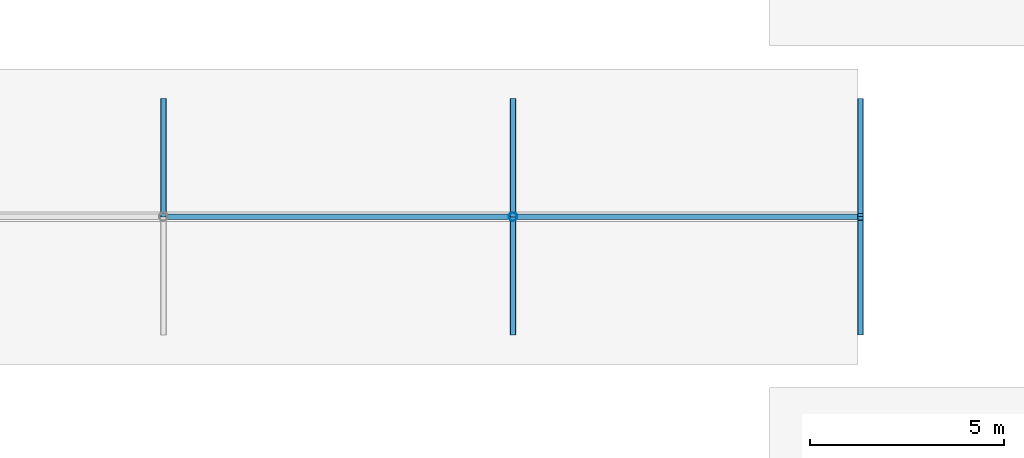
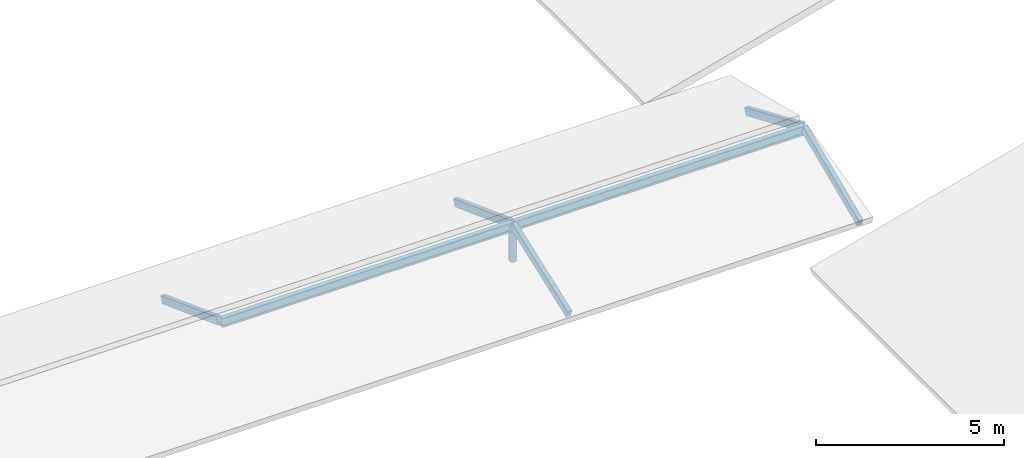
# One storey, part 50 of 148: 6 members, 2 beams.
"""IFC4 building model written with IfcOpenShell, lengths in metres."""

import ifcopenshell
import ifcopenshell.guid

model = None  # the IFC model being written
_history = None  # IfcOwnerHistory: only IFC2X3 demands one
_inside = {}  # id of a spatial element -> (the spatial element, [elements in it])
_under = {}  # id of a project, library or spatial element -> (it, [spatial elements below it])
_declared = {}  # id of a project -> (the project, [libraries it declares])
_typed = {}  # id of a type object -> (the type object, [elements of that type])
_made_of = {}  # id of a material, layer set ... -> (it, [elements and type objects made of it])


def new_model(schema):
    """Start an empty IFC model of exactly this schema.

    Asked for "IFC4X3", IfcOpenShell would pick the latest addendum, in which some entities
    have other attributes; the version numbers below select the first issue.
    IFC2X3 requires an IfcOwnerHistory on every rooted entity: one is made here for all.
    """
    global model, _history
    if schema == "IFC4X3":
        model = ifcopenshell.file(schema_version=(4, 3, 0, 0))
    else:
        model = ifcopenshell.file(schema=schema)
    _inside.clear()
    _under.clear()
    _declared.clear()
    _typed.clear()
    _made_of.clear()
    _history = None
    if model.schema == "IFC2X3":
        org = make("IfcOrganization", Name="unknown")
        user = make(
            "IfcPersonAndOrganization",
            ThePerson=make("IfcPerson", FamilyName="unknown"),
            TheOrganization=org,
        )
        app = make(
            "IfcApplication",
            ApplicationDeveloper=org,
            Version="unknown",
            ApplicationFullName="unknown",
            ApplicationIdentifier="unknown",
        )
        _history = make(
            "IfcOwnerHistory",
            OwningUser=user,
            OwningApplication=app,
            ChangeAction="ADDED",
            CreationDate=0,
        )
    return model


def make(cls, **values):
    """One entity of the class cls with the attributes given. An attribute that is None is left unset."""
    return model.create_entity(
        cls, **{name: value for name, value in values.items() if value is not None}
    )


def rooted(cls, **values):
    """An entity with a GlobalId (a new one), such as an element, a storey or a relation."""
    return make(cls, GlobalId=ifcopenshell.guid.new(), OwnerHistory=_history, **values)


def si_unit(unit_type, name, prefix=None):
    """IfcSIUnit, for example si_unit("LENGTHUNIT", "METRE", prefix="MILLI")."""
    return make("IfcSIUnit", UnitType=unit_type, Prefix=prefix, Name=name)


def derived_unit(unit_type, elements):
    """IfcDerivedUnit: a product of units, each with its exponent."""
    return make(
        "IfcDerivedUnit",
        Elements=[
            make("IfcDerivedUnitElement", Unit=unit, Exponent=power)
            for unit, power in elements
        ],
        UnitType=unit_type,
    )


def assignment(units):
    """IfcUnitAssignment: the units of a project."""
    return None if units is None else make("IfcUnitAssignment", Units=units)


def point(xyz):
    """IfcCartesianPoint."""
    return None if xyz is None else make("IfcCartesianPoint", Coordinates=xyz)


def direction(xyz):
    """IfcDirection."""
    return None if xyz is None else make("IfcDirection", DirectionRatios=xyz)


def frame(location, z_axis=None, x_axis=None):
    """IfcAxis2Placement3D, a coordinate frame: its origin and axes. An axis left out is left unset."""
    return make(
        "IfcAxis2Placement3D",
        Location=point(location),
        Axis=direction(z_axis),
        RefDirection=direction(x_axis),
    )


def frame_2d(location, x_axis=None):
    """IfcAxis2Placement2D, a coordinate frame in the plane: its origin and x axis."""
    return make(
        "IfcAxis2Placement2D", Location=point(location), RefDirection=direction(x_axis)
    )


def origin():
    """The frame at (0, 0, 0) with its axes left unset."""
    return frame((0.0, 0.0, 0.0))


def origin_2d():
    """The frame at (0, 0) in the plane with its x axis left unset."""
    return frame_2d((0.0, 0.0))


def place(relative_to, where):
    """IfcLocalPlacement: puts the frame where relative to a parent placement (None: the world)."""
    return make(
        "IfcLocalPlacement", PlacementRelTo=relative_to, RelativePlacement=where
    )


def context(
    kind, dimensions, precision=None, world=None, true_north=None, identifier=None
):
    """IfcGeometricRepresentationContext, for example the 3D "Model" context."""
    return make(
        "IfcGeometricRepresentationContext",
        ContextIdentifier=identifier,
        ContextType=kind,
        CoordinateSpaceDimension=dimensions,
        Precision=precision,
        WorldCoordinateSystem=world,
        TrueNorth=true_north,
    )


def subcontext(parent, identifier, kind, view, scale=None):
    """IfcGeometricRepresentationSubContext, for example "Body" below "Model"."""
    return make(
        "IfcGeometricRepresentationSubContext",
        ContextIdentifier=identifier,
        ContextType=kind,
        ParentContext=parent,
        TargetScale=scale,
        TargetView=view,
    )


def project(units=None, contexts=None):
    """IfcProject with its units and contexts."""
    return rooted(
        "IfcProject",
        Name="project",
        RepresentationContexts=contexts,
        UnitsInContext=assignment(units),
    )


def spatial(cls, under=None, at=None, **own):
    """A site, building, storey or space (cls), placed at a placement, below another one or the project."""
    s = rooted(cls, ObjectPlacement=at, **own)
    if under is not None:
        _under.setdefault(under.id(), (under, []))[1].append(s)
    return s


def profile(cls, at=None, kind="AREA", **sizes):
    """A parametric profile (cls). Its sizes go by their IFC names, for example OverallWidth=200.0."""
    return make(cls, ProfileType=kind, Position=at, **sizes)


def hollow_rectangle(**sizes):
    """IfcRectangleHollowProfileDef."""
    return profile("IfcRectangleHollowProfileDef", **sizes)


def hollow_circle(**sizes):
    """IfcCircleHollowProfileDef."""
    return profile("IfcCircleHollowProfileDef", **sizes)


def i_section(**sizes):
    """IfcIShapeProfileDef."""
    return profile("IfcIShapeProfileDef", **sizes)


def extrude(swept, where, along, depth):
    """IfcExtrudedAreaSolid: the profile swept, set in the frame where, extruded along a direction by depth."""
    return make(
        "IfcExtrudedAreaSolid",
        SweptArea=swept,
        Position=where,
        ExtrudedDirection=direction(along),
        Depth=depth,
    )


def shape(context_of_items, identifier, shape_type, items):
    """IfcShapeRepresentation: the items that make up one representation, for example the "Body"."""
    return make(
        "IfcShapeRepresentation",
        ContextOfItems=context_of_items,
        RepresentationIdentifier=identifier,
        RepresentationType=shape_type,
        Items=items,
    )


def material(Name=None, Category=None):
    """IfcMaterial."""
    return make("IfcMaterial", Name=Name, Category=Category)


def material_profile(
    of_material, cross_section, Name=None, Category=None, Priority=None
):
    """IfcMaterialProfile: a cross section and its material."""
    return make(
        "IfcMaterialProfile",
        Name=Name,
        Material=of_material,
        Profile=cross_section,
        Priority=Priority,
        Category=Category,
    )


def profile_set(profiles, Name=None, composite=None):
    """IfcMaterialProfileSet."""
    return make(
        "IfcMaterialProfileSet",
        Name=Name,
        MaterialProfiles=profiles,
        CompositeProfile=composite,
    )


def made_of(thing, what):
    """Note that an element or type object is made of a material, layer set ...; save() writes the relation."""
    if what is not None:
        _made_of.setdefault(what.id(), (what, []))[1].append(thing)
    return thing


def type_object(cls, material=None, **own):
    """A type object (cls), such as IfcWallType, which elements share."""
    return made_of(rooted(cls, **own), material)


def element(
    cls,
    number,
    at=None,
    inside=None,
    cuts=None,
    type_object=None,
    material=None,
    context=None,
    identifier="Body",
    shape_type=None,
    held_by="IfcProductDefinitionShape",
    body=None,
    shapes=None,
    **own,
):
    """One element of the class cls, such as IfcWall. Its Tag is "e" and its number.

    at: its placement. inside: the storey or other place that contains it. cuts: it is an
    opening in that element (IfcRelVoidsElement). A single representation is given by context,
    identifier, shape_type and body (its items); several are given by shapes. held_by: the class
    of the entity that holds the representations. save() writes the other relations.
    """
    e = rooted(cls, Tag="e%d" % number, ObjectPlacement=at, **own)
    if body is not None:
        shapes = [shape(context, identifier, shape_type, body)]
    if shapes is not None:
        e.Representation = make(held_by, Representations=shapes)
    if inside is not None:
        _inside.setdefault(inside.id(), (inside, []))[1].append(e)
    if cuts is not None:
        rooted(
            "IfcRelVoidsElement", RelatingBuildingElement=cuts, RelatedOpeningElement=e
        )
    if type_object is not None:
        _typed.setdefault(type_object.id(), (type_object, []))[1].append(e)
    return made_of(e, material)


def aggregate(whole, parts):
    """IfcRelAggregates: a whole, such as a stair, and the parts it consists of."""
    return rooted("IfcRelAggregates", RelatingObject=whole, RelatedObjects=parts)


def save(model, path):
    """Write the relations noted so far, then the file.

    IfcRelAggregates (storeys below a building ...), IfcRelContainedInSpatialStructure (elements
    in a storey), IfcRelDefinesByType, IfcRelAssociatesMaterial and IfcRelDeclares: one each for
    every whole, place, type object, material and project.
    """
    for whole, parts in _under.values():
        aggregate(whole, parts)
    for where, things in _inside.values():
        rooted(
            "IfcRelContainedInSpatialStructure",
            RelatedElements=things,
            RelatingStructure=where,
        )
    for kind, things in _typed.values():
        rooted("IfcRelDefinesByType", RelatedObjects=things, RelatingType=kind)
    for what, things in _made_of.values():
        rooted("IfcRelAssociatesMaterial", RelatedObjects=things, RelatingMaterial=what)
    for by, libraries in _declared.values():
        rooted("IfcRelDeclares", RelatingContext=by, RelatedDefinitions=libraries)
    model.write(path)


model = new_model("IFC4")

# Units and contexts
model_context = context("Model", 3, precision=1e-05, world=origin(), true_north=direction((0.0, 1.0)))
body_context = subcontext(model_context, "Body", "Model", "MODEL_VIEW")
ifc_project = project(units=[si_unit("LENGTHUNIT", "METRE"), si_unit("AREAUNIT", "SQUARE_METRE"), si_unit("VOLUMEUNIT", "CUBIC_METRE"), si_unit("PLANEANGLEUNIT", "RADIAN"), si_unit("MASSUNIT", "GRAM", prefix="KILO"), derived_unit("THERMALTRANSMITTANCEUNIT", [(si_unit("MASSUNIT", "GRAM", prefix="KILO"), 1), (si_unit("TIMEUNIT", "SECOND"), -3), (si_unit("THERMODYNAMICTEMPERATUREUNIT", "KELVIN"), -1)])], contexts=[model_context])

# Site, building, storey
site_placement = place(None, origin())
site = spatial("IfcSite", under=ifc_project, at=site_placement, CompositionType="ELEMENT")
building_placement = place(site_placement, origin())
building = spatial("IfcBuilding", under=site, at=building_placement, Name="Zhenchuan Archway Interchange", CompositionType="ELEMENT")
storey_placement = place(building_placement, frame((0.0, 0.0, 10.199951171875)))
storey = spatial("IfcBuildingStorey", under=building, at=storey_placement, Name="L02", CompositionType="ELEMENT", Elevation=10.199951171875)

# Beams
ifc_material = material(Name="Steel Q355", Category="steel")
ifc_material_profile_1 = material_profile(ifc_material, i_section(OverallWidth=0.14990234375, OverallDepth=0.300048828125, WebThickness=0.006591796875, FlangeThickness=0.009033203125, FilletRadius=0.012939453125, at=origin_2d()), Name="HN 300x150")
ifc_profile_set_1 = profile_set([ifc_material_profile_1], Name="Steel Q355")
beam_type = type_object("IfcBeamType", Name="BM_STL_EAVE_HN300", PredefinedType="BEAM", material=ifc_profile_set_1)
beam_1_placement = place(storey_placement, frame((81.0400390625, 55.0, 0.880126953125), z_axis=(1.0, 0.0, 0.0), x_axis=(0.0, 1.0, 0.0)))
element("IfcBeam", 1, at=beam_1_placement, inside=storey, type_object=beam_type, Name="Footbridge ridge beam 2", PredefinedType="BEAM", context=body_context, shape_type="SweptSolid", body=[
    extrude(i_section(OverallWidth=0.14990234375, OverallDepth=0.300048828125, WebThickness=0.006591796875, FlangeThickness=0.009033203125, FilletRadius=0.012939453125, at=origin_2d()), origin(), (0.0, 0.0, 1.0), 8.919921875),
])
beam_2_placement = place(storey_placement, frame((90.0400390625, 55.0, 0.880126953125), z_axis=(1.0, 0.0, 0.0), x_axis=(0.0, 1.0, 0.0)))
element("IfcBeam", 2, at=beam_2_placement, inside=storey, type_object=beam_type, Name="Footbridge ridge beam 3", PredefinedType="BEAM", context=body_context, shape_type="SweptSolid", body=[
    extrude(i_section(OverallWidth=0.14990234375, OverallDepth=0.300048828125, WebThickness=0.006591796875, FlangeThickness=0.009033203125, FilletRadius=0.012939453125, at=origin_2d()), origin(), (0.0, 0.0, 1.0), 8.909912109375),
])

# Members
ifc_material_profile_2 = material_profile(ifc_material, hollow_circle(Radius=0.109619140625, WallThickness=0.008056640625, at=origin_2d()), Name="CHS 219x8")
ifc_profile_set_2 = profile_set([ifc_material_profile_2], Name="Steel Q355")
member_type_1 = type_object("IfcMemberType", Name="MB_CHS219", PredefinedType="BRACE", material=ifc_profile_set_2)
member_placement = place(storey_placement, frame((90.0, 55.0, -0.25), z_axis=(0.0, 0.0, 1.0), x_axis=(1.0, 0.0, 0.0)))
element("IfcMember", 3, at=member_placement, inside=storey, type_object=member_type_1, Name="Footbridge roof king-post X90", PredefinedType="BRACE", context=body_context, shape_type="SweptSolid", body=[
    extrude(hollow_circle(Radius=0.109619140625, WallThickness=0.008056640625, at=origin_2d()), origin(), (0.0, 0.0, 1.0), 1.170166015625),
])
ifc_material_profile_3 = material_profile(ifc_material, hollow_rectangle(XDim=0.14990234375, YDim=0.25, WallThickness=0.008056640625, InnerFilletRadius=0.008056640625, OuterFilletRadius=0.01611328125, at=origin_2d()), Name="RHS 250x150x8")
ifc_profile_set_3 = profile_set([ifc_material_profile_3], Name="Steel Q355")
member_type_2 = type_object("IfcMemberType", Name="MB_RHS250", PredefinedType="PURLIN", material=ifc_profile_set_3)
for number, where, z_axis, x_axis, name in (
    (4, (81.0, 58.0, -0.179931640625), (0.0, -0.937354594171, 0.348376756956), (1.0, 0.0, 0.0), "Footbridge north roof rafter X81"),
    (5, (90.0, 52.0, -0.179931640625), (0.0, 0.937354594171, 0.348376756956), (-1.0, 0.0, 0.0), "Footbridge south roof rafter X90"),
    (6, (90.0, 58.0, -0.179931640625), (0.0, -0.937354594171, 0.348376756956), (1.0, 0.0, 0.0), "Footbridge north roof rafter X90"),
):
    element("IfcMember", number, at=place(storey_placement, frame(where, z_axis=z_axis, x_axis=x_axis)), inside=storey, type_object=member_type_2, Name=name, PredefinedType="PURLIN", context=body_context, shape_type="SweptSolid", body=[
        extrude(hollow_rectangle(XDim=0.14990234375, YDim=0.25, WallThickness=0.008056640625, InnerFilletRadius=0.008056640625, OuterFilletRadius=0.01611328125, at=origin_2d()), origin(), (0.0, 0.0, 1.0), 3.15771484375),
    ])
for number, where, z_axis, x_axis, name in (
    (7, (98.949951171875, 52.0, -0.349853515625), (0.0, 0.918980284136, 0.39430348384), (-1.0, 0.0, 0.0), "Footbridge south roof rafter X98"),
    (8, (98.949951171875, 58.0, -0.349853515625), (0.0, -0.918980284136, 0.39430348384), (1.0, 0.0, 0.0), "Footbridge north roof rafter X98"),
):
    element("IfcMember", number, at=place(storey_placement, frame(where, z_axis=z_axis, x_axis=x_axis)), inside=storey, type_object=member_type_2, Name=name, PredefinedType="PURLIN", context=body_context, shape_type="SweptSolid", body=[
        extrude(hollow_rectangle(XDim=0.14990234375, YDim=0.25, WallThickness=0.008056640625, InnerFilletRadius=0.008056640625, OuterFilletRadius=0.01611328125, at=origin_2d()), origin(), (0.0, 0.0, 1.0), 3.220947265625),
    ])

save(model, "model.ifc")
